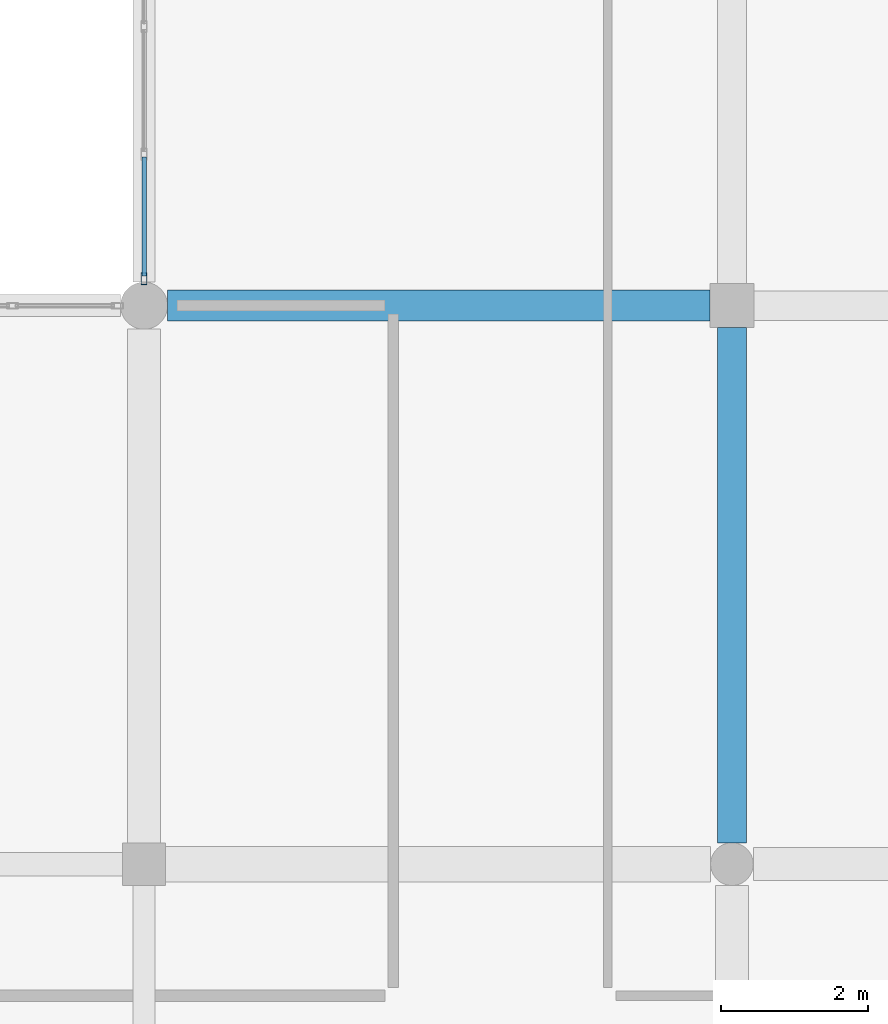
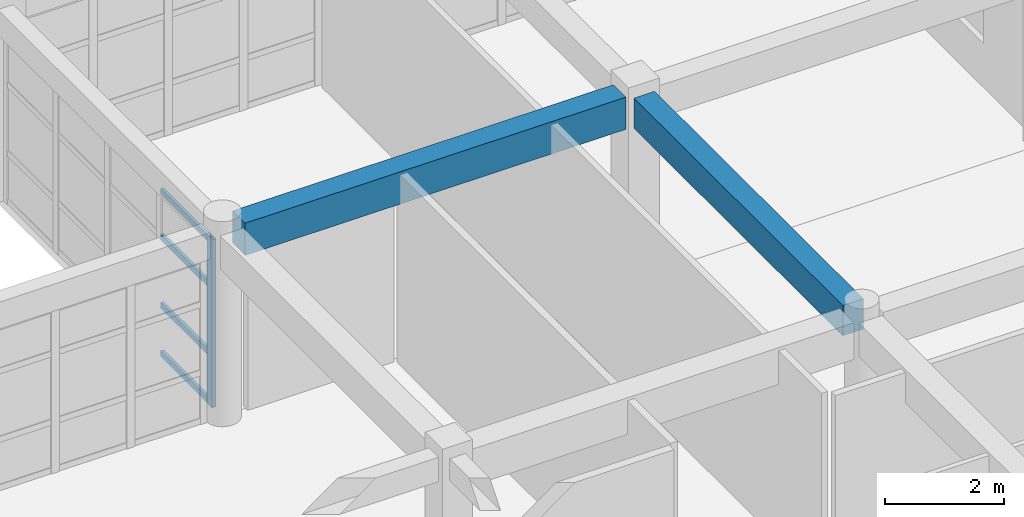
# One storey, part 22 of 121: 5 members, 2 beams, 1 element without a shape of its own.
"""IFC4 building model written with IfcOpenShell, lengths in metres."""

from ifc_helpers import new_model, si_unit, direction, frame, origin, origin_2d, place, context, subcontext, project, spatial, rectangle, hollow_rectangle, extrude, material, material_profile, profile_set, type_object, element, aggregate, save


model = new_model("IFC4")

# Units and contexts
model_context = context("Model", 3, precision=1e-05, world=origin(), true_north=direction((0.0, 1.0)))
body_context = subcontext(model_context, "Body", "Model", "MODEL_VIEW")
ifc_project = project(units=[si_unit("LENGTHUNIT", "METRE"), si_unit("AREAUNIT", "SQUARE_METRE"), si_unit("VOLUMEUNIT", "CUBIC_METRE"), si_unit("PLANEANGLEUNIT", "RADIAN"), si_unit("MASSUNIT", "GRAM", prefix="KILO")], contexts=[model_context])

# Site, building, storey
site_placement = place(None, origin())
site = spatial("IfcSite", under=ifc_project, at=site_placement, CompositionType="ELEMENT")
building_placement = place(site_placement, origin())
building = spatial("IfcBuilding", under=site, at=building_placement, Name="Kharva Crest Polytechnic", CompositionType="ELEMENT")
storey_placement = place(building_placement, frame((0.0, 0.0, 13.199951171875)))
storey = spatial("IfcBuildingStorey", under=building, at=storey_placement, Name="L03", CompositionType="ELEMENT", Elevation=13.199951171875)

# Beams
ifc_material_1 = material(Name="Concrete C35/45", Category="concrete")
ifc_material_profile_1 = material_profile(ifc_material_1, rectangle(XDim=0.39990234375, YDim=0.6201171875, at=origin_2d()), Name="RECT 400 X 620")
ifc_profile_set_1 = profile_set([ifc_material_profile_1], Name="Concrete C35/45")
beam_type_1 = type_object("IfcBeamType", Name="BM-RC-400X620", PredefinedType="BEAM", material=ifc_profile_set_1)
beam_1_placement = place(storey_placement, frame((40.0, 23.090087890625, 3.650146484375), z_axis=(0.0, 1.0, 0.0), x_axis=(-1.0, 0.0, 0.0)))
element("IfcBeam", 1, at=beam_1_placement, inside=storey, type_object=beam_type_1, Name="L03 Girder 6/D-E", PredefinedType="BEAM", context=body_context, shape_type="SweptSolid", body=[
    extrude(rectangle(XDim=0.39990234375, YDim=0.6201171875, at=origin_2d()), origin(), (0.0, 0.0, 1.0), 7.010009765625),
])
ifc_material_profile_2 = material_profile(ifc_material_1, rectangle(XDim=0.419921875, YDim=0.659912109375, at=origin_2d()), Name="RECT 420 X 660")
ifc_profile_set_2 = profile_set([ifc_material_profile_2], Name="Concrete C35/45")
beam_type_2 = type_object("IfcBeamType", Name="BM-RC-420X660", PredefinedType="BEAM", material=ifc_profile_set_2)
beam_2_placement = place(storey_placement, frame((32.320068359375, 30.39990234375, 3.630126953125), z_axis=(1.0, 0.0, 0.0), x_axis=(0.0, 1.0, 0.0)))
element("IfcBeam", 2, at=beam_2_placement, inside=storey, type_object=beam_type_2, Name="L03 Beam E/5-6", PredefinedType="BEAM", context=body_context, shape_type="SweptSolid", body=[
    extrude(rectangle(XDim=0.419921875, YDim=0.659912109375, at=origin_2d()), origin(), (0.0, 0.0, 1.0), 7.3798828125),
])

# Curtain wall, members
ifc_material_2 = material(Name="Tempered insulated glass", Category="glass")
curtain_wall_type = type_object("IfcCurtainWallType", Name="CW-SYS-COURT", PredefinedType="USERDEFINED", material=ifc_material_2)
curtain_wall_placement = place(storey_placement, origin())
curtain_wall = element("IfcCurtainWall", 3, at=curtain_wall_placement, inside=storey, type_object=curtain_wall_type, Name="L03 Glazed Curtain Wall CW-129", ObjectType="CURTAIN WALL", PredefinedType="USERDEFINED")
ifc_material_3 = material(Name="Steel S355", Category="steel")
ifc_material_profile_3 = material_profile(ifc_material_3, hollow_rectangle(XDim=0.080078125, YDim=0.159912109375, WallThickness=0.0048828125, at=origin_2d()), Name="RHS 160X80X5.0")
ifc_profile_set_3 = profile_set([ifc_material_profile_3], Name="Steel S355")
member_type_1 = type_object("IfcMemberType", Name="CWM-RHS160X80", PredefinedType="MULLION", material=ifc_profile_set_3)
member_1_placement = place(storey_placement, frame((32.0, 30.764892578125, 0.0), z_axis=(0.0, 0.0, 1.0), x_axis=(1.0, 0.0, 0.0)))
member_1 = element("IfcMember", 4, at=member_1_placement, type_object=member_type_1, Name="CW-129 mullion 5", PredefinedType="MULLION", context=body_context, shape_type="SweptSolid", body=[
    extrude(hollow_rectangle(XDim=0.080078125, YDim=0.159912109375, WallThickness=0.0048828125, at=origin_2d()), origin(), (0.0, 0.0, 1.0), 3.43994140625),
])
ifc_material_profile_4 = material_profile(ifc_material_3, hollow_rectangle(XDim=0.06005859375, YDim=0.1201171875, WallThickness=0.00390625, at=origin_2d()), Name="RHS 120X60X4.0")
ifc_profile_set_4 = profile_set([ifc_material_profile_4], Name="Steel S355")
member_type_2 = type_object("IfcMemberType", Name="CWT-RHS120X60", PredefinedType="USERDEFINED", material=ifc_profile_set_4)
member_2_placement = place(storey_placement, frame((32.0, 32.421142578125, 0.06005859375), z_axis=(0.0, -1.0, 0.0), x_axis=(1.0, 0.0, 0.0)))
member_2 = element("IfcMember", 5, at=member_2_placement, type_object=member_type_2, Name="CW-129 transom 4.1", ObjectType="TRANSOM", PredefinedType="USERDEFINED", context=body_context, shape_type="SweptSolid", body=[
    extrude(hollow_rectangle(XDim=0.06005859375, YDim=0.1201171875, WallThickness=0.00390625, at=origin_2d()), origin(), (0.0, 0.0, 1.0), 1.6162109375),
])
member_3_placement = place(storey_placement, frame((32.0, 32.421142578125, 1.050048828125), z_axis=(0.0, -1.0, 0.0), x_axis=(1.0, 0.0, 0.0)))
member_3 = element("IfcMember", 6, at=member_3_placement, type_object=member_type_2, Name="CW-129 transom 4.2", ObjectType="TRANSOM", PredefinedType="USERDEFINED", context=body_context, shape_type="SweptSolid", body=[
    extrude(hollow_rectangle(XDim=0.06005859375, YDim=0.1201171875, WallThickness=0.00390625, at=origin_2d()), origin(), (0.0, 0.0, 1.0), 1.6162109375),
])
member_4_placement = place(storey_placement, frame((32.0, 32.421142578125, 2.449951171875), z_axis=(0.0, -1.0, 0.0), x_axis=(1.0, 0.0, 0.0)))
member_4 = element("IfcMember", 7, at=member_4_placement, type_object=member_type_2, Name="CW-129 transom 4.3", ObjectType="TRANSOM", PredefinedType="USERDEFINED", context=body_context, shape_type="SweptSolid", body=[
    extrude(hollow_rectangle(XDim=0.06005859375, YDim=0.1201171875, WallThickness=0.00390625, at=origin_2d()), origin(), (0.0, 0.0, 1.0), 1.6162109375),
])
member_5_placement = place(storey_placement, frame((32.0, 32.421142578125, 3.380126953125), z_axis=(0.0, -1.0, 0.0), x_axis=(1.0, 0.0, 0.0)))
member_5 = element("IfcMember", 8, at=member_5_placement, type_object=member_type_2, Name="CW-129 transom 4.4", ObjectType="TRANSOM", PredefinedType="USERDEFINED", context=body_context, shape_type="SweptSolid", body=[
    extrude(hollow_rectangle(XDim=0.06005859375, YDim=0.1201171875, WallThickness=0.00390625, at=origin_2d()), origin(), (0.0, 0.0, 1.0), 1.6162109375),
])
aggregate(curtain_wall, [member_1, member_2, member_3, member_4, member_5])

save(model, "model.ifc")
